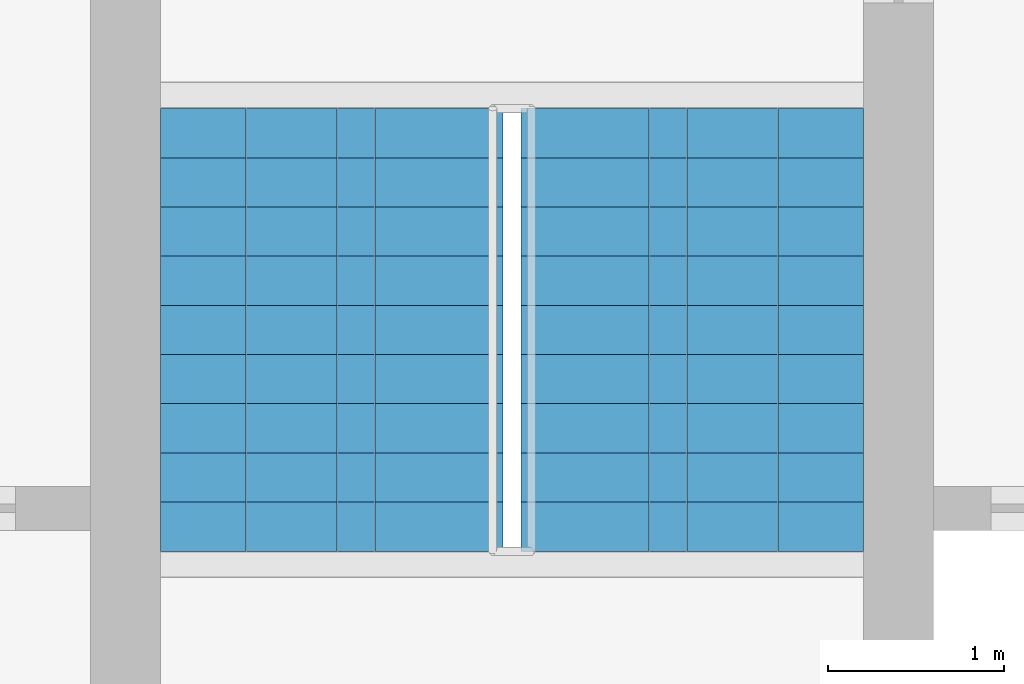
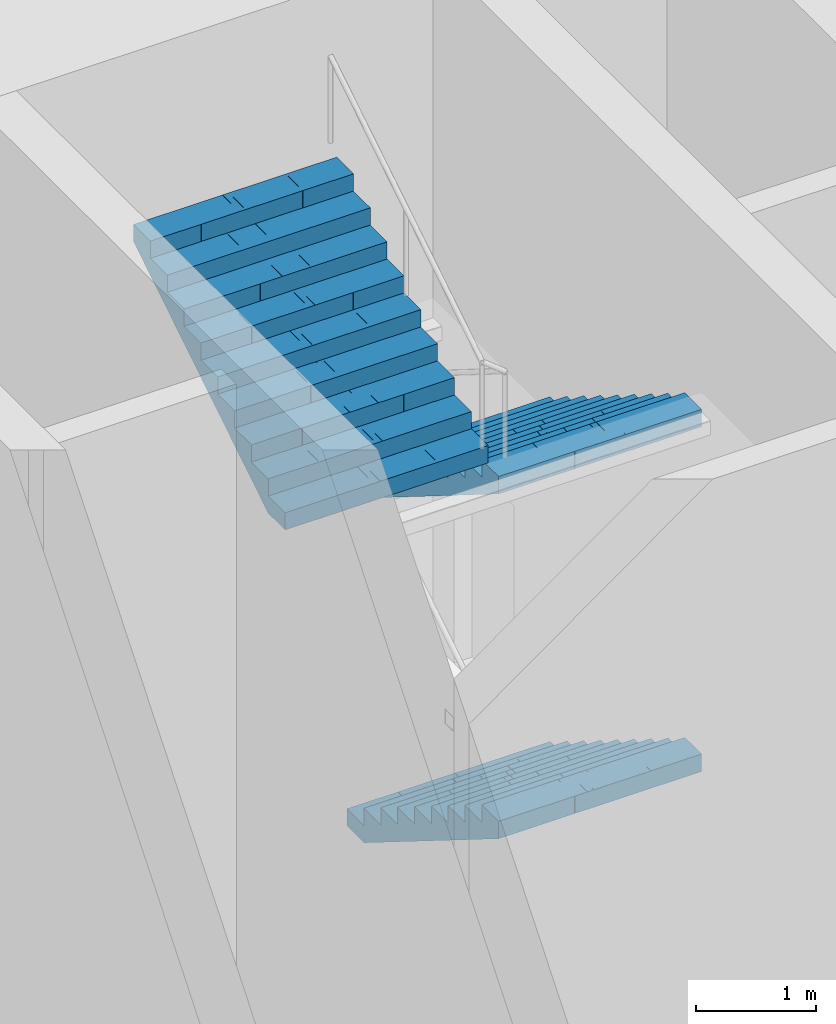
# One storey, part 25 of 43: 3 stair flights, 1 element without a shape of its own.
"""IFC4 building model written with IfcOpenShell, lengths in metres."""

from ifc_helpers import new_model, si_unit, direction, frame, origin, place, context, subcontext, project, spatial, polyline, outline, extrude, material, type_object, element, aggregate, save


model = new_model("IFC4")

# Units and contexts
model_context = context("Model", 3, precision=1e-05, world=origin(), true_north=direction((0.0, 1.0)))
body_context = subcontext(model_context, "Body", "Model", "MODEL_VIEW")
ifc_project = project(units=[si_unit("LENGTHUNIT", "METRE"), si_unit("AREAUNIT", "SQUARE_METRE"), si_unit("VOLUMEUNIT", "CUBIC_METRE"), si_unit("PLANEANGLEUNIT", "RADIAN"), si_unit("MASSUNIT", "GRAM", prefix="KILO")], contexts=[model_context])

# Site, building, storey
site_placement = place(None, origin())
site = spatial("IfcSite", under=ifc_project, at=site_placement, CompositionType="ELEMENT")
building_placement = place(site_placement, origin())
building = spatial("IfcBuilding", under=site, at=building_placement, Name="Mizan Broadcast Tower", CompositionType="ELEMENT")
storey_placement = place(building_placement, origin())
storey = spatial("IfcBuildingStorey", under=building, at=storey_placement, Name="L00", CompositionType="ELEMENT", Elevation=0.0)

# Stair, stair flights
ifc_material_1 = material(Name="Concrete C40/50", Category="concrete")
stair_type = type_object("IfcStairType", Name="EXIT STAIR", PredefinedType="HALF_TURN_STAIR", material=ifc_material_1)
stair_placement = place(storey_placement, origin())
stair = element("IfcStair", 1, at=stair_placement, inside=storey, type_object=stair_type, Name="Stair B L00", PredefinedType="HALF_TURN_STAIR")
ifc_material_2 = material(Name="Concrete C40/50", Category="concrete")
stair_flight_type = type_object("IfcStairFlightType", Name="EXIT STAIR FLIGHT", PredefinedType="STRAIGHT", material=ifc_material_2)
stair_flight_1_placement = place(storey_placement, frame((1.02490234375, 7.89990234375, 0.0), z_axis=(0.0, 0.0, 1.0), x_axis=(0.0, -1.0, 0.0)))
stair_flight_1 = element("IfcStairFlight", 2, at=stair_flight_1_placement, type_object=stair_flight_type, Name="B flight 1", NumberOfRisers=10, NumberOfTreads=9, PredefinedType="STRAIGHT", RiserHeight=0.175, TreadLength=0.28, context=body_context, shape_type="SweptSolid", body=[
    extrude(outline(polyline([(0.0, 0.0), (0.0, 0.175048828125), (0.280029296875, 0.175048828125), (0.280029296875, 0.35009765625), (0.56005859375, 0.35009765625), (0.56005859375, 0.52490234375), (0.840087890625, 0.52490234375), (0.840087890625, 0.699951171875), (1.1201171875, 0.699951171875), (1.1201171875, 0.875), (1.39990234375, 0.875), (1.39990234375, 1.050048828125), (1.679931640625, 1.050048828125), (1.679931640625, 1.22509765625), (1.9599609375, 1.22509765625), (1.9599609375, 1.39990234375), (2.239990234375, 1.39990234375), (2.239990234375, 1.574951171875), (2.52001953125, 1.574951171875), (2.52001953125, 1.75), (2.52001953125, 1.398193359375), (0.28271484375, 0.0), (0.0, 0.0)])), frame((0.0, 0.97509765625, 0.0), z_axis=(0.0, -1.0, 0.0), x_axis=(1.0, 0.0, 0.0)), (0.0, 0.0, 1.0), 0.4873046875),
    extrude(outline(polyline([(0.0, 0.0), (0.0, 0.175048828125), (0.280029296875, 0.175048828125), (0.280029296875, 0.35009765625), (0.56005859375, 0.35009765625), (0.56005859375, 0.52490234375), (0.840087890625, 0.52490234375), (0.840087890625, 0.699951171875), (1.1201171875, 0.699951171875), (1.1201171875, 0.875), (1.39990234375, 0.875), (1.39990234375, 1.050048828125), (1.679931640625, 1.050048828125), (1.679931640625, 1.22509765625), (1.9599609375, 1.22509765625), (1.9599609375, 1.39990234375), (2.239990234375, 1.39990234375), (2.239990234375, 1.574951171875), (2.52001953125, 1.574951171875), (2.52001953125, 1.75), (2.52001953125, 1.398193359375), (0.28271484375, 0.0), (0.0, 0.0)])), frame((0.0, 0.4873046875, 0.0), z_axis=(0.0, -1.0, 0.0), x_axis=(1.0, 0.0, 0.0)), (0.0, 0.0, 1.0), 0.2431640625),
    extrude(outline(polyline([(0.0, 0.0), (0.0, 0.175048828125), (0.280029296875, 0.175048828125), (0.280029296875, 0.35009765625), (0.56005859375, 0.35009765625), (0.56005859375, 0.52490234375), (0.840087890625, 0.52490234375), (0.840087890625, 0.699951171875), (1.1201171875, 0.699951171875), (1.1201171875, 0.875), (1.39990234375, 0.875), (1.39990234375, 1.050048828125), (1.679931640625, 1.050048828125), (1.679931640625, 1.22509765625), (1.9599609375, 1.22509765625), (1.9599609375, 1.39990234375), (2.239990234375, 1.39990234375), (2.239990234375, 1.574951171875), (2.52001953125, 1.574951171875), (2.52001953125, 1.75), (2.52001953125, 1.398193359375), (0.28271484375, 0.0), (0.0, 0.0)])), frame((0.0, 0.24365234375, 0.0), z_axis=(0.0, -1.0, 0.0), x_axis=(1.0, 0.0, 0.0)), (0.0, 0.0, 1.0), 0.121337890625),
    extrude(outline(polyline([(0.0, 0.0), (0.0, 0.175048828125), (0.280029296875, 0.175048828125), (0.280029296875, 0.35009765625), (0.56005859375, 0.35009765625), (0.56005859375, 0.52490234375), (0.840087890625, 0.52490234375), (0.840087890625, 0.699951171875), (1.1201171875, 0.699951171875), (1.1201171875, 0.875), (1.39990234375, 0.875), (1.39990234375, 1.050048828125), (1.679931640625, 1.050048828125), (1.679931640625, 1.22509765625), (1.9599609375, 1.22509765625), (1.9599609375, 1.39990234375), (2.239990234375, 1.39990234375), (2.239990234375, 1.574951171875), (2.52001953125, 1.574951171875), (2.52001953125, 1.75), (2.52001953125, 1.398193359375), (0.28271484375, 0.0), (0.0, 0.0)])), frame((0.0, 0.121826171875, 0.0), z_axis=(0.0, -1.0, 0.0), x_axis=(1.0, 0.0, 0.0)), (0.0, 0.0, 1.0), 0.060546875),
    extrude(outline(polyline([(0.0, 0.0), (0.0, 0.175048828125), (0.280029296875, 0.175048828125), (0.280029296875, 0.35009765625), (0.56005859375, 0.35009765625), (0.56005859375, 0.52490234375), (0.840087890625, 0.52490234375), (0.840087890625, 0.699951171875), (1.1201171875, 0.699951171875), (1.1201171875, 0.875), (1.39990234375, 0.875), (1.39990234375, 1.050048828125), (1.679931640625, 1.050048828125), (1.679931640625, 1.22509765625), (1.9599609375, 1.22509765625), (1.9599609375, 1.39990234375), (2.239990234375, 1.39990234375), (2.239990234375, 1.574951171875), (2.52001953125, 1.574951171875), (2.52001953125, 1.75), (2.52001953125, 1.398193359375), (0.28271484375, 0.0), (0.0, 0.0)])), frame((0.0, 0.060791015625, 0.0), z_axis=(0.0, -1.0, 0.0), x_axis=(1.0, 0.0, 0.0)), (0.0, 0.0, 1.0), 0.030029296875),
    extrude(outline(polyline([(0.0, 0.0), (0.0, 0.175048828125), (0.280029296875, 0.175048828125), (0.280029296875, 0.35009765625), (0.56005859375, 0.35009765625), (0.56005859375, 0.52490234375), (0.840087890625, 0.52490234375), (0.840087890625, 0.699951171875), (1.1201171875, 0.699951171875), (1.1201171875, 0.875), (1.39990234375, 0.875), (1.39990234375, 1.050048828125), (1.679931640625, 1.050048828125), (1.679931640625, 1.22509765625), (1.9599609375, 1.22509765625), (1.9599609375, 1.39990234375), (2.239990234375, 1.39990234375), (2.239990234375, 1.574951171875), (2.52001953125, 1.574951171875), (2.52001953125, 1.75), (2.52001953125, 1.398193359375), (0.28271484375, 0.0), (0.0, 0.0)])), frame((0.0, 0.0302734375, 0.0), z_axis=(0.0, -1.0, 0.0), x_axis=(1.0, 0.0, 0.0)), (0.0, 0.0, 1.0), 0.060302734375),
    extrude(outline(polyline([(0.0, 0.0), (0.0, 0.175048828125), (0.280029296875, 0.175048828125), (0.280029296875, 0.35009765625), (0.56005859375, 0.35009765625), (0.56005859375, 0.52490234375), (0.840087890625, 0.52490234375), (0.840087890625, 0.699951171875), (1.1201171875, 0.699951171875), (1.1201171875, 0.875), (1.39990234375, 0.875), (1.39990234375, 1.050048828125), (1.679931640625, 1.050048828125), (1.679931640625, 1.22509765625), (1.9599609375, 1.22509765625), (1.9599609375, 1.39990234375), (2.239990234375, 1.39990234375), (2.239990234375, 1.574951171875), (2.52001953125, 1.574951171875), (2.52001953125, 1.75), (2.52001953125, 1.398193359375), (0.28271484375, 0.0), (0.0, 0.0)])), frame((0.0, -0.030517578125, 0.0), z_axis=(0.0, -1.0, 0.0), x_axis=(1.0, 0.0, 0.0)), (0.0, 0.0, 1.0), 0.030029296875),
    extrude(outline(polyline([(0.0, 0.0), (0.0, 0.175048828125), (0.280029296875, 0.175048828125), (0.280029296875, 0.35009765625), (0.56005859375, 0.35009765625), (0.56005859375, 0.52490234375), (0.840087890625, 0.52490234375), (0.840087890625, 0.699951171875), (1.1201171875, 0.699951171875), (1.1201171875, 0.875), (1.39990234375, 0.875), (1.39990234375, 1.050048828125), (1.679931640625, 1.050048828125), (1.679931640625, 1.22509765625), (1.9599609375, 1.22509765625), (1.9599609375, 1.39990234375), (2.239990234375, 1.39990234375), (2.239990234375, 1.574951171875), (2.52001953125, 1.574951171875), (2.52001953125, 1.75), (2.52001953125, 1.398193359375), (0.28271484375, 0.0), (0.0, 0.0)])), frame((0.0, -0.06103515625, 0.0), z_axis=(0.0, -1.0, 0.0), x_axis=(1.0, 0.0, 0.0)), (0.0, 0.0, 1.0), 0.060546875),
    extrude(outline(polyline([(0.0, 0.0), (0.0, 0.175048828125), (0.280029296875, 0.175048828125), (0.280029296875, 0.35009765625), (0.56005859375, 0.35009765625), (0.56005859375, 0.52490234375), (0.840087890625, 0.52490234375), (0.840087890625, 0.699951171875), (1.1201171875, 0.699951171875), (1.1201171875, 0.875), (1.39990234375, 0.875), (1.39990234375, 1.050048828125), (1.679931640625, 1.050048828125), (1.679931640625, 1.22509765625), (1.9599609375, 1.22509765625), (1.9599609375, 1.39990234375), (2.239990234375, 1.39990234375), (2.239990234375, 1.574951171875), (2.52001953125, 1.574951171875), (2.52001953125, 1.75), (2.52001953125, 1.398193359375), (0.28271484375, 0.0), (0.0, 0.0)])), frame((0.0, -0.1220703125, 0.0), z_axis=(0.0, -1.0, 0.0), x_axis=(1.0, 0.0, 0.0)), (0.0, 0.0, 1.0), 0.121337890625),
    extrude(outline(polyline([(0.0, 0.0), (0.0, 0.175048828125), (0.280029296875, 0.175048828125), (0.280029296875, 0.35009765625), (0.56005859375, 0.35009765625), (0.56005859375, 0.52490234375), (0.840087890625, 0.52490234375), (0.840087890625, 0.699951171875), (1.1201171875, 0.699951171875), (1.1201171875, 0.875), (1.39990234375, 0.875), (1.39990234375, 1.050048828125), (1.679931640625, 1.050048828125), (1.679931640625, 1.22509765625), (1.9599609375, 1.22509765625), (1.9599609375, 1.39990234375), (2.239990234375, 1.39990234375), (2.239990234375, 1.574951171875), (2.52001953125, 1.574951171875), (2.52001953125, 1.75), (2.52001953125, 1.398193359375), (0.28271484375, 0.0), (0.0, 0.0)])), frame((0.0, -0.243896484375, 0.0), z_axis=(0.0, -1.0, 0.0), x_axis=(1.0, 0.0, 0.0)), (0.0, 0.0, 1.0), 0.2431640625),
    extrude(outline(polyline([(0.0, 0.0), (0.0, 0.175048828125), (0.280029296875, 0.175048828125), (0.280029296875, 0.35009765625), (0.56005859375, 0.35009765625), (0.56005859375, 0.52490234375), (0.840087890625, 0.52490234375), (0.840087890625, 0.699951171875), (1.1201171875, 0.699951171875), (1.1201171875, 0.875), (1.39990234375, 0.875), (1.39990234375, 1.050048828125), (1.679931640625, 1.050048828125), (1.679931640625, 1.22509765625), (1.9599609375, 1.22509765625), (1.9599609375, 1.39990234375), (2.239990234375, 1.39990234375), (2.239990234375, 1.574951171875), (2.52001953125, 1.574951171875), (2.52001953125, 1.75), (2.52001953125, 1.398193359375), (0.28271484375, 0.0), (0.0, 0.0)])), frame((0.0, -0.487548828125, 0.0), z_axis=(0.0, -1.0, 0.0), x_axis=(1.0, 0.0, 0.0)), (0.0, 0.0, 1.0), 0.4873046875),
])
stair_flight_2_placement = place(storey_placement, frame((1.02490234375, 7.89990234375, 3.5), z_axis=(0.0, 0.0, 1.0), x_axis=(0.0, -1.0, 0.0)))
stair_flight_2 = element("IfcStairFlight", 3, at=stair_flight_2_placement, type_object=stair_flight_type, Name="B flight 3", NumberOfRisers=10, NumberOfTreads=9, PredefinedType="STRAIGHT", RiserHeight=0.175, TreadLength=0.28, context=body_context, shape_type="SweptSolid", body=[
    extrude(outline(polyline([(0.0, 0.0), (0.0, 0.175048828125), (0.280029296875, 0.175048828125), (0.280029296875, 0.35009765625), (0.56005859375, 0.35009765625), (0.56005859375, 0.52490234375), (0.840087890625, 0.52490234375), (0.840087890625, 0.699951171875), (1.1201171875, 0.699951171875), (1.1201171875, 0.875), (1.39990234375, 0.875), (1.39990234375, 1.050048828125), (1.679931640625, 1.050048828125), (1.679931640625, 1.22509765625), (1.9599609375, 1.22509765625), (1.9599609375, 1.39990234375), (2.239990234375, 1.39990234375), (2.239990234375, 1.574951171875), (2.52001953125, 1.574951171875), (2.52001953125, 1.75), (2.52001953125, 1.398193359375), (0.28271484375, 0.0), (0.0, 0.0)])), frame((0.0, 0.97509765625, 0.0), z_axis=(0.0, -1.0, 0.0), x_axis=(1.0, 0.0, 0.0)), (0.0, 0.0, 1.0), 0.4873046875),
    extrude(outline(polyline([(0.0, 0.0), (0.0, 0.175048828125), (0.280029296875, 0.175048828125), (0.280029296875, 0.35009765625), (0.56005859375, 0.35009765625), (0.56005859375, 0.52490234375), (0.840087890625, 0.52490234375), (0.840087890625, 0.699951171875), (1.1201171875, 0.699951171875), (1.1201171875, 0.875), (1.39990234375, 0.875), (1.39990234375, 1.050048828125), (1.679931640625, 1.050048828125), (1.679931640625, 1.22509765625), (1.9599609375, 1.22509765625), (1.9599609375, 1.39990234375), (2.239990234375, 1.39990234375), (2.239990234375, 1.574951171875), (2.52001953125, 1.574951171875), (2.52001953125, 1.75), (2.52001953125, 1.398193359375), (0.28271484375, 0.0), (0.0, 0.0)])), frame((0.0, 0.4873046875, 0.0), z_axis=(0.0, -1.0, 0.0), x_axis=(1.0, 0.0, 0.0)), (0.0, 0.0, 1.0), 0.2431640625),
    extrude(outline(polyline([(0.0, 0.0), (0.0, 0.175048828125), (0.280029296875, 0.175048828125), (0.280029296875, 0.35009765625), (0.56005859375, 0.35009765625), (0.56005859375, 0.52490234375), (0.840087890625, 0.52490234375), (0.840087890625, 0.699951171875), (1.1201171875, 0.699951171875), (1.1201171875, 0.875), (1.39990234375, 0.875), (1.39990234375, 1.050048828125), (1.679931640625, 1.050048828125), (1.679931640625, 1.22509765625), (1.9599609375, 1.22509765625), (1.9599609375, 1.39990234375), (2.239990234375, 1.39990234375), (2.239990234375, 1.574951171875), (2.52001953125, 1.574951171875), (2.52001953125, 1.75), (2.52001953125, 1.398193359375), (0.28271484375, 0.0), (0.0, 0.0)])), frame((0.0, 0.24365234375, 0.0), z_axis=(0.0, -1.0, 0.0), x_axis=(1.0, 0.0, 0.0)), (0.0, 0.0, 1.0), 0.121337890625),
    extrude(outline(polyline([(0.0, 0.0), (0.0, 0.175048828125), (0.280029296875, 0.175048828125), (0.280029296875, 0.35009765625), (0.56005859375, 0.35009765625), (0.56005859375, 0.52490234375), (0.840087890625, 0.52490234375), (0.840087890625, 0.699951171875), (1.1201171875, 0.699951171875), (1.1201171875, 0.875), (1.39990234375, 0.875), (1.39990234375, 1.050048828125), (1.679931640625, 1.050048828125), (1.679931640625, 1.22509765625), (1.9599609375, 1.22509765625), (1.9599609375, 1.39990234375), (2.239990234375, 1.39990234375), (2.239990234375, 1.574951171875), (2.52001953125, 1.574951171875), (2.52001953125, 1.75), (2.52001953125, 1.398193359375), (0.28271484375, 0.0), (0.0, 0.0)])), frame((0.0, 0.121826171875, 0.0), z_axis=(0.0, -1.0, 0.0), x_axis=(1.0, 0.0, 0.0)), (0.0, 0.0, 1.0), 0.060546875),
    extrude(outline(polyline([(0.0, 0.0), (0.0, 0.175048828125), (0.280029296875, 0.175048828125), (0.280029296875, 0.35009765625), (0.56005859375, 0.35009765625), (0.56005859375, 0.52490234375), (0.840087890625, 0.52490234375), (0.840087890625, 0.699951171875), (1.1201171875, 0.699951171875), (1.1201171875, 0.875), (1.39990234375, 0.875), (1.39990234375, 1.050048828125), (1.679931640625, 1.050048828125), (1.679931640625, 1.22509765625), (1.9599609375, 1.22509765625), (1.9599609375, 1.39990234375), (2.239990234375, 1.39990234375), (2.239990234375, 1.574951171875), (2.52001953125, 1.574951171875), (2.52001953125, 1.75), (2.52001953125, 1.398193359375), (0.28271484375, 0.0), (0.0, 0.0)])), frame((0.0, 0.060791015625, 0.0), z_axis=(0.0, -1.0, 0.0), x_axis=(1.0, 0.0, 0.0)), (0.0, 0.0, 1.0), 0.030029296875),
    extrude(outline(polyline([(0.0, 0.0), (0.0, 0.175048828125), (0.280029296875, 0.175048828125), (0.280029296875, 0.35009765625), (0.56005859375, 0.35009765625), (0.56005859375, 0.52490234375), (0.840087890625, 0.52490234375), (0.840087890625, 0.699951171875), (1.1201171875, 0.699951171875), (1.1201171875, 0.875), (1.39990234375, 0.875), (1.39990234375, 1.050048828125), (1.679931640625, 1.050048828125), (1.679931640625, 1.22509765625), (1.9599609375, 1.22509765625), (1.9599609375, 1.39990234375), (2.239990234375, 1.39990234375), (2.239990234375, 1.574951171875), (2.52001953125, 1.574951171875), (2.52001953125, 1.75), (2.52001953125, 1.398193359375), (0.28271484375, 0.0), (0.0, 0.0)])), frame((0.0, 0.0302734375, 0.0), z_axis=(0.0, -1.0, 0.0), x_axis=(1.0, 0.0, 0.0)), (0.0, 0.0, 1.0), 0.060302734375),
    extrude(outline(polyline([(0.0, 0.0), (0.0, 0.175048828125), (0.280029296875, 0.175048828125), (0.280029296875, 0.35009765625), (0.56005859375, 0.35009765625), (0.56005859375, 0.52490234375), (0.840087890625, 0.52490234375), (0.840087890625, 0.699951171875), (1.1201171875, 0.699951171875), (1.1201171875, 0.875), (1.39990234375, 0.875), (1.39990234375, 1.050048828125), (1.679931640625, 1.050048828125), (1.679931640625, 1.22509765625), (1.9599609375, 1.22509765625), (1.9599609375, 1.39990234375), (2.239990234375, 1.39990234375), (2.239990234375, 1.574951171875), (2.52001953125, 1.574951171875), (2.52001953125, 1.75), (2.52001953125, 1.398193359375), (0.28271484375, 0.0), (0.0, 0.0)])), frame((0.0, -0.030517578125, 0.0), z_axis=(0.0, -1.0, 0.0), x_axis=(1.0, 0.0, 0.0)), (0.0, 0.0, 1.0), 0.030029296875),
    extrude(outline(polyline([(0.0, 0.0), (0.0, 0.175048828125), (0.280029296875, 0.175048828125), (0.280029296875, 0.35009765625), (0.56005859375, 0.35009765625), (0.56005859375, 0.52490234375), (0.840087890625, 0.52490234375), (0.840087890625, 0.699951171875), (1.1201171875, 0.699951171875), (1.1201171875, 0.875), (1.39990234375, 0.875), (1.39990234375, 1.050048828125), (1.679931640625, 1.050048828125), (1.679931640625, 1.22509765625), (1.9599609375, 1.22509765625), (1.9599609375, 1.39990234375), (2.239990234375, 1.39990234375), (2.239990234375, 1.574951171875), (2.52001953125, 1.574951171875), (2.52001953125, 1.75), (2.52001953125, 1.398193359375), (0.28271484375, 0.0), (0.0, 0.0)])), frame((0.0, -0.06103515625, 0.0), z_axis=(0.0, -1.0, 0.0), x_axis=(1.0, 0.0, 0.0)), (0.0, 0.0, 1.0), 0.060546875),
    extrude(outline(polyline([(0.0, 0.0), (0.0, 0.175048828125), (0.280029296875, 0.175048828125), (0.280029296875, 0.35009765625), (0.56005859375, 0.35009765625), (0.56005859375, 0.52490234375), (0.840087890625, 0.52490234375), (0.840087890625, 0.699951171875), (1.1201171875, 0.699951171875), (1.1201171875, 0.875), (1.39990234375, 0.875), (1.39990234375, 1.050048828125), (1.679931640625, 1.050048828125), (1.679931640625, 1.22509765625), (1.9599609375, 1.22509765625), (1.9599609375, 1.39990234375), (2.239990234375, 1.39990234375), (2.239990234375, 1.574951171875), (2.52001953125, 1.574951171875), (2.52001953125, 1.75), (2.52001953125, 1.398193359375), (0.28271484375, 0.0), (0.0, 0.0)])), frame((0.0, -0.1220703125, 0.0), z_axis=(0.0, -1.0, 0.0), x_axis=(1.0, 0.0, 0.0)), (0.0, 0.0, 1.0), 0.121337890625),
    extrude(outline(polyline([(0.0, 0.0), (0.0, 0.175048828125), (0.280029296875, 0.175048828125), (0.280029296875, 0.35009765625), (0.56005859375, 0.35009765625), (0.56005859375, 0.52490234375), (0.840087890625, 0.52490234375), (0.840087890625, 0.699951171875), (1.1201171875, 0.699951171875), (1.1201171875, 0.875), (1.39990234375, 0.875), (1.39990234375, 1.050048828125), (1.679931640625, 1.050048828125), (1.679931640625, 1.22509765625), (1.9599609375, 1.22509765625), (1.9599609375, 1.39990234375), (2.239990234375, 1.39990234375), (2.239990234375, 1.574951171875), (2.52001953125, 1.574951171875), (2.52001953125, 1.75), (2.52001953125, 1.398193359375), (0.28271484375, 0.0), (0.0, 0.0)])), frame((0.0, -0.243896484375, 0.0), z_axis=(0.0, -1.0, 0.0), x_axis=(1.0, 0.0, 0.0)), (0.0, 0.0, 1.0), 0.2431640625),
    extrude(outline(polyline([(0.0, 0.0), (0.0, 0.175048828125), (0.280029296875, 0.175048828125), (0.280029296875, 0.35009765625), (0.56005859375, 0.35009765625), (0.56005859375, 0.52490234375), (0.840087890625, 0.52490234375), (0.840087890625, 0.699951171875), (1.1201171875, 0.699951171875), (1.1201171875, 0.875), (1.39990234375, 0.875), (1.39990234375, 1.050048828125), (1.679931640625, 1.050048828125), (1.679931640625, 1.22509765625), (1.9599609375, 1.22509765625), (1.9599609375, 1.39990234375), (2.239990234375, 1.39990234375), (2.239990234375, 1.574951171875), (2.52001953125, 1.574951171875), (2.52001953125, 1.75), (2.52001953125, 1.398193359375), (0.28271484375, 0.0), (0.0, 0.0)])), frame((0.0, -0.487548828125, 0.0), z_axis=(0.0, -1.0, 0.0), x_axis=(1.0, 0.0, 0.0)), (0.0, 0.0, 1.0), 0.4873046875),
])
stair_flight_3_placement = place(storey_placement, frame((-1.02490234375, 5.3798828125, 5.25), z_axis=(0.0, 0.0, 1.0), x_axis=(0.0, 1.0, 0.0)))
stair_flight_3 = element("IfcStairFlight", 4, at=stair_flight_3_placement, type_object=stair_flight_type, Name="B flight 4", NumberOfRisers=10, NumberOfTreads=9, PredefinedType="STRAIGHT", RiserHeight=0.175, TreadLength=0.28, context=body_context, shape_type="SweptSolid", body=[
    extrude(outline(polyline([(0.0, 0.0), (0.0, 0.175048828125), (0.280029296875, 0.175048828125), (0.280029296875, 0.35009765625), (0.56005859375, 0.35009765625), (0.56005859375, 0.52490234375), (0.840087890625, 0.52490234375), (0.840087890625, 0.699951171875), (1.1201171875, 0.699951171875), (1.1201171875, 0.875), (1.39990234375, 0.875), (1.39990234375, 1.050048828125), (1.679931640625, 1.050048828125), (1.679931640625, 1.22509765625), (1.9599609375, 1.22509765625), (1.9599609375, 1.39990234375), (2.239990234375, 1.39990234375), (2.239990234375, 1.574951171875), (2.52001953125, 1.574951171875), (2.52001953125, 1.75), (2.52001953125, 1.398193359375), (0.28271484375, 0.0), (0.0, 0.0)])), frame((0.0, 0.97509765625, 0.0), z_axis=(0.0, -1.0, 0.0), x_axis=(1.0, 0.0, 0.0)), (0.0, 0.0, 1.0), 0.4873046875),
    extrude(outline(polyline([(0.0, 0.0), (0.0, 0.175048828125), (0.280029296875, 0.175048828125), (0.280029296875, 0.35009765625), (0.56005859375, 0.35009765625), (0.56005859375, 0.52490234375), (0.840087890625, 0.52490234375), (0.840087890625, 0.699951171875), (1.1201171875, 0.699951171875), (1.1201171875, 0.875), (1.39990234375, 0.875), (1.39990234375, 1.050048828125), (1.679931640625, 1.050048828125), (1.679931640625, 1.22509765625), (1.9599609375, 1.22509765625), (1.9599609375, 1.39990234375), (2.239990234375, 1.39990234375), (2.239990234375, 1.574951171875), (2.52001953125, 1.574951171875), (2.52001953125, 1.75), (2.52001953125, 1.398193359375), (0.28271484375, 0.0), (0.0, 0.0)])), frame((0.0, 0.4873046875, 0.0), z_axis=(0.0, -1.0, 0.0), x_axis=(1.0, 0.0, 0.0)), (0.0, 0.0, 1.0), 0.2431640625),
    extrude(outline(polyline([(0.0, 0.0), (0.0, 0.175048828125), (0.280029296875, 0.175048828125), (0.280029296875, 0.35009765625), (0.56005859375, 0.35009765625), (0.56005859375, 0.52490234375), (0.840087890625, 0.52490234375), (0.840087890625, 0.699951171875), (1.1201171875, 0.699951171875), (1.1201171875, 0.875), (1.39990234375, 0.875), (1.39990234375, 1.050048828125), (1.679931640625, 1.050048828125), (1.679931640625, 1.22509765625), (1.9599609375, 1.22509765625), (1.9599609375, 1.39990234375), (2.239990234375, 1.39990234375), (2.239990234375, 1.574951171875), (2.52001953125, 1.574951171875), (2.52001953125, 1.75), (2.52001953125, 1.398193359375), (0.28271484375, 0.0), (0.0, 0.0)])), frame((0.0, 0.24365234375, 0.0), z_axis=(0.0, -1.0, 0.0), x_axis=(1.0, 0.0, 0.0)), (0.0, 0.0, 1.0), 0.121337890625),
    extrude(outline(polyline([(0.0, 0.0), (0.0, 0.175048828125), (0.280029296875, 0.175048828125), (0.280029296875, 0.35009765625), (0.56005859375, 0.35009765625), (0.56005859375, 0.52490234375), (0.840087890625, 0.52490234375), (0.840087890625, 0.699951171875), (1.1201171875, 0.699951171875), (1.1201171875, 0.875), (1.39990234375, 0.875), (1.39990234375, 1.050048828125), (1.679931640625, 1.050048828125), (1.679931640625, 1.22509765625), (1.9599609375, 1.22509765625), (1.9599609375, 1.39990234375), (2.239990234375, 1.39990234375), (2.239990234375, 1.574951171875), (2.52001953125, 1.574951171875), (2.52001953125, 1.75), (2.52001953125, 1.398193359375), (0.28271484375, 0.0), (0.0, 0.0)])), frame((0.0, 0.121826171875, 0.0), z_axis=(0.0, -1.0, 0.0), x_axis=(1.0, 0.0, 0.0)), (0.0, 0.0, 1.0), 0.060546875),
    extrude(outline(polyline([(0.0, 0.0), (0.0, 0.175048828125), (0.280029296875, 0.175048828125), (0.280029296875, 0.35009765625), (0.56005859375, 0.35009765625), (0.56005859375, 0.52490234375), (0.840087890625, 0.52490234375), (0.840087890625, 0.699951171875), (1.1201171875, 0.699951171875), (1.1201171875, 0.875), (1.39990234375, 0.875), (1.39990234375, 1.050048828125), (1.679931640625, 1.050048828125), (1.679931640625, 1.22509765625), (1.9599609375, 1.22509765625), (1.9599609375, 1.39990234375), (2.239990234375, 1.39990234375), (2.239990234375, 1.574951171875), (2.52001953125, 1.574951171875), (2.52001953125, 1.75), (2.52001953125, 1.398193359375), (0.28271484375, 0.0), (0.0, 0.0)])), frame((0.0, 0.060791015625, 0.0), z_axis=(0.0, -1.0, 0.0), x_axis=(1.0, 0.0, 0.0)), (0.0, 0.0, 1.0), 0.030029296875),
    extrude(outline(polyline([(0.0, 0.0), (0.0, 0.175048828125), (0.280029296875, 0.175048828125), (0.280029296875, 0.35009765625), (0.56005859375, 0.35009765625), (0.56005859375, 0.52490234375), (0.840087890625, 0.52490234375), (0.840087890625, 0.699951171875), (1.1201171875, 0.699951171875), (1.1201171875, 0.875), (1.39990234375, 0.875), (1.39990234375, 1.050048828125), (1.679931640625, 1.050048828125), (1.679931640625, 1.22509765625), (1.9599609375, 1.22509765625), (1.9599609375, 1.39990234375), (2.239990234375, 1.39990234375), (2.239990234375, 1.574951171875), (2.52001953125, 1.574951171875), (2.52001953125, 1.75), (2.52001953125, 1.398193359375), (0.28271484375, 0.0), (0.0, 0.0)])), frame((0.0, 0.0302734375, 0.0), z_axis=(0.0, -1.0, 0.0), x_axis=(1.0, 0.0, 0.0)), (0.0, 0.0, 1.0), 0.060302734375),
    extrude(outline(polyline([(0.0, 0.0), (0.0, 0.175048828125), (0.280029296875, 0.175048828125), (0.280029296875, 0.35009765625), (0.56005859375, 0.35009765625), (0.56005859375, 0.52490234375), (0.840087890625, 0.52490234375), (0.840087890625, 0.699951171875), (1.1201171875, 0.699951171875), (1.1201171875, 0.875), (1.39990234375, 0.875), (1.39990234375, 1.050048828125), (1.679931640625, 1.050048828125), (1.679931640625, 1.22509765625), (1.9599609375, 1.22509765625), (1.9599609375, 1.39990234375), (2.239990234375, 1.39990234375), (2.239990234375, 1.574951171875), (2.52001953125, 1.574951171875), (2.52001953125, 1.75), (2.52001953125, 1.398193359375), (0.28271484375, 0.0), (0.0, 0.0)])), frame((0.0, -0.030517578125, 0.0), z_axis=(0.0, -1.0, 0.0), x_axis=(1.0, 0.0, 0.0)), (0.0, 0.0, 1.0), 0.030029296875),
    extrude(outline(polyline([(0.0, 0.0), (0.0, 0.175048828125), (0.280029296875, 0.175048828125), (0.280029296875, 0.35009765625), (0.56005859375, 0.35009765625), (0.56005859375, 0.52490234375), (0.840087890625, 0.52490234375), (0.840087890625, 0.699951171875), (1.1201171875, 0.699951171875), (1.1201171875, 0.875), (1.39990234375, 0.875), (1.39990234375, 1.050048828125), (1.679931640625, 1.050048828125), (1.679931640625, 1.22509765625), (1.9599609375, 1.22509765625), (1.9599609375, 1.39990234375), (2.239990234375, 1.39990234375), (2.239990234375, 1.574951171875), (2.52001953125, 1.574951171875), (2.52001953125, 1.75), (2.52001953125, 1.398193359375), (0.28271484375, 0.0), (0.0, 0.0)])), frame((0.0, -0.06103515625, 0.0), z_axis=(0.0, -1.0, 0.0), x_axis=(1.0, 0.0, 0.0)), (0.0, 0.0, 1.0), 0.060546875),
    extrude(outline(polyline([(0.0, 0.0), (0.0, 0.175048828125), (0.280029296875, 0.175048828125), (0.280029296875, 0.35009765625), (0.56005859375, 0.35009765625), (0.56005859375, 0.52490234375), (0.840087890625, 0.52490234375), (0.840087890625, 0.699951171875), (1.1201171875, 0.699951171875), (1.1201171875, 0.875), (1.39990234375, 0.875), (1.39990234375, 1.050048828125), (1.679931640625, 1.050048828125), (1.679931640625, 1.22509765625), (1.9599609375, 1.22509765625), (1.9599609375, 1.39990234375), (2.239990234375, 1.39990234375), (2.239990234375, 1.574951171875), (2.52001953125, 1.574951171875), (2.52001953125, 1.75), (2.52001953125, 1.398193359375), (0.28271484375, 0.0), (0.0, 0.0)])), frame((0.0, -0.1220703125, 0.0), z_axis=(0.0, -1.0, 0.0), x_axis=(1.0, 0.0, 0.0)), (0.0, 0.0, 1.0), 0.121337890625),
    extrude(outline(polyline([(0.0, 0.0), (0.0, 0.175048828125), (0.280029296875, 0.175048828125), (0.280029296875, 0.35009765625), (0.56005859375, 0.35009765625), (0.56005859375, 0.52490234375), (0.840087890625, 0.52490234375), (0.840087890625, 0.699951171875), (1.1201171875, 0.699951171875), (1.1201171875, 0.875), (1.39990234375, 0.875), (1.39990234375, 1.050048828125), (1.679931640625, 1.050048828125), (1.679931640625, 1.22509765625), (1.9599609375, 1.22509765625), (1.9599609375, 1.39990234375), (2.239990234375, 1.39990234375), (2.239990234375, 1.574951171875), (2.52001953125, 1.574951171875), (2.52001953125, 1.75), (2.52001953125, 1.398193359375), (0.28271484375, 0.0), (0.0, 0.0)])), frame((0.0, -0.243896484375, 0.0), z_axis=(0.0, -1.0, 0.0), x_axis=(1.0, 0.0, 0.0)), (0.0, 0.0, 1.0), 0.2431640625),
    extrude(outline(polyline([(0.0, 0.0), (0.0, 0.175048828125), (0.280029296875, 0.175048828125), (0.280029296875, 0.35009765625), (0.56005859375, 0.35009765625), (0.56005859375, 0.52490234375), (0.840087890625, 0.52490234375), (0.840087890625, 0.699951171875), (1.1201171875, 0.699951171875), (1.1201171875, 0.875), (1.39990234375, 0.875), (1.39990234375, 1.050048828125), (1.679931640625, 1.050048828125), (1.679931640625, 1.22509765625), (1.9599609375, 1.22509765625), (1.9599609375, 1.39990234375), (2.239990234375, 1.39990234375), (2.239990234375, 1.574951171875), (2.52001953125, 1.574951171875), (2.52001953125, 1.75), (2.52001953125, 1.398193359375), (0.28271484375, 0.0), (0.0, 0.0)])), frame((0.0, -0.487548828125, 0.0), z_axis=(0.0, -1.0, 0.0), x_axis=(1.0, 0.0, 0.0)), (0.0, 0.0, 1.0), 0.4873046875),
])
aggregate(stair, [stair_flight_1, stair_flight_2, stair_flight_3])

save(model, "model.ifc")
